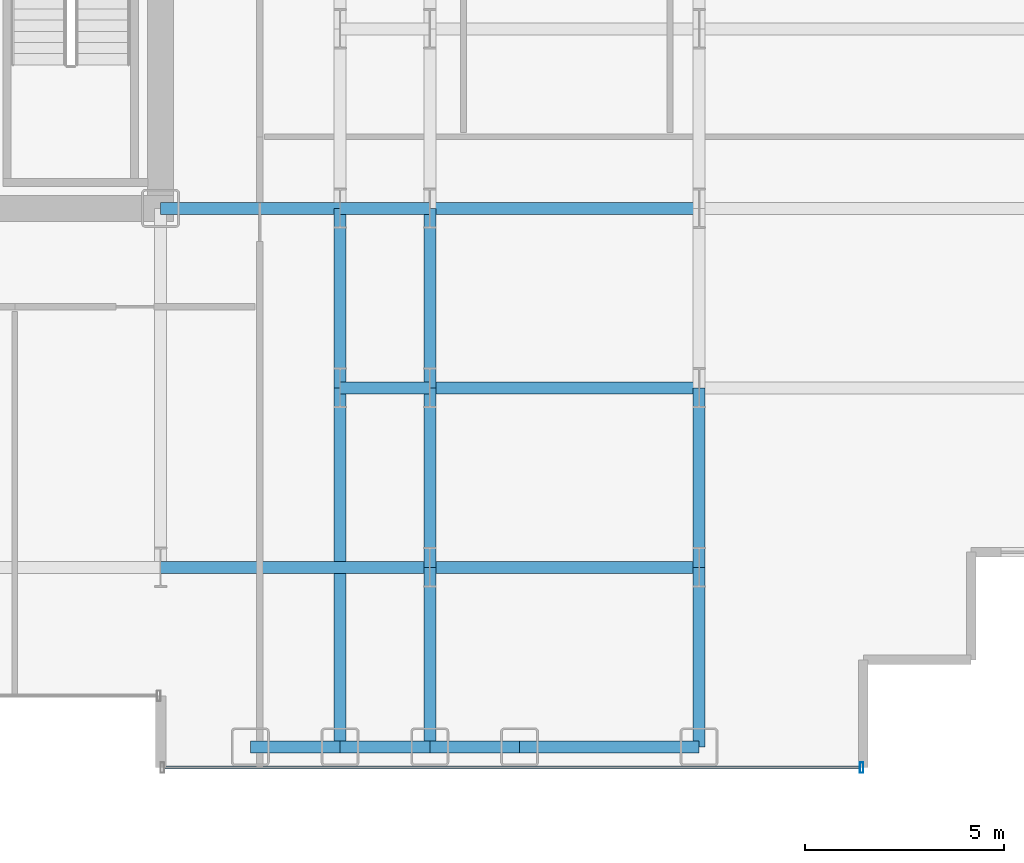
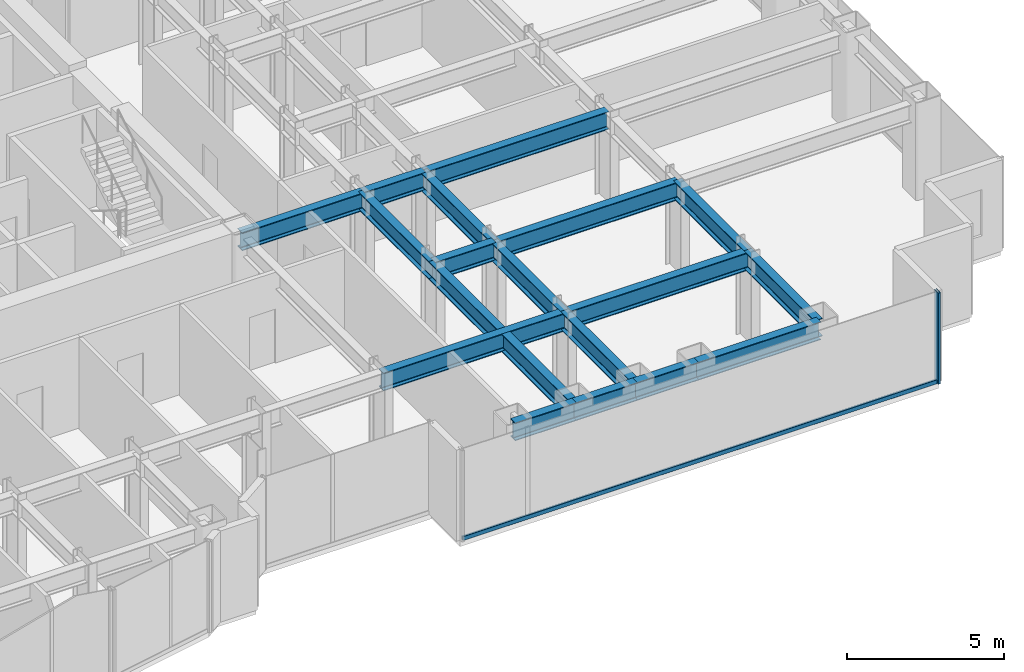
# One storey, part 7 of 25: 18 beams, 2 members, 1 element without a shape of its own.
"""IFC4 building model written with IfcOpenShell, lengths in metres."""

from ifc_helpers import new_model, si_unit, direction, frame, origin, origin_2d, place, context, subcontext, project, spatial, hollow_rectangle, i_section, extrude, source, transform, mapped, material, layer, layer_set, material_profile, profile_set, type_object, element, aggregate, save


model = new_model("IFC4")

# Units and contexts
model_context = context("Model", 3, precision=1e-05, world=origin(), true_north=direction((0.0, 1.0)))
body_context = subcontext(model_context, "Body", "Model", "MODEL_VIEW")
ifc_project = project(units=[si_unit("LENGTHUNIT", "METRE"), si_unit("AREAUNIT", "SQUARE_METRE"), si_unit("VOLUMEUNIT", "CUBIC_METRE"), si_unit("PLANEANGLEUNIT", "RADIAN"), si_unit("MASSUNIT", "GRAM", prefix="KILO")], contexts=[model_context])

# Site, building, storey
site_placement = place(None, origin())
site = spatial("IfcSite", under=ifc_project, at=site_placement, CompositionType="ELEMENT")
building_placement = place(site_placement, origin())
building = spatial("IfcBuilding", under=site, at=building_placement, Name="Nefas-Gora Pilgrimage Tower", CompositionType="ELEMENT")
storey_placement = place(building_placement, frame((0.0, 0.0, 52.0)))
storey = spatial("IfcBuildingStorey", under=building, at=storey_placement, Name="L11", CompositionType="ELEMENT", Elevation=52.0)

# Beams
ifc_material_1 = material(Name="Steel S355", Category="steel")
ifc_material_profile_1 = material_profile(ifc_material_1, i_section(OverallWidth=0.300048828125, OverallDepth=0.699951171875, WebThickness=0.01708984375, FlangeThickness=0.031982421875, FilletRadius=0.027099609375, at=origin_2d()), Name="HEB 700")
ifc_profile_set_1 = profile_set([ifc_material_profile_1], Name="Steel S355")
beam_type_1 = type_object("IfcBeamType", Name="BM-SPN-HEB600", PredefinedType="SPANDREL", material=ifc_profile_set_1)
shared_shape_1 = source(origin(), body_context, "Body", "SweptSolid", [
    extrude(i_section(OverallWidth=0.300048828125, OverallDepth=0.699951171875, WebThickness=0.01708984375, FlangeThickness=0.031982421875, FilletRadius=0.027099609375, at=origin_2d()), origin(), (0.0, 0.0, 1.0), 4.5),
])
beam_1_placement = place(storey_placement, frame((20.25, -22.5, 3.199951171875), z_axis=(1.0, 0.0, 0.0), x_axis=(0.0, 1.0, 0.0)))
element("IfcBeam", 1, at=beam_1_placement, inside=storey, type_object=beam_type_1, Name="L11 SP-01 beam", PredefinedType="SPANDREL", context=body_context, shape_type="MappedRepresentation", body=[
    mapped(shared_shape_1, transform((0.0, 0.0, 0.0), x_axis=(1.0, 0.0, 0.0), y_axis=(0.0, 1.0, 0.0), z_axis=(0.0, 0.0, 1.0), scale=1.0)),
])
ifc_material_profile_2 = material_profile(ifc_material_1, i_section(OverallWidth=0.300048828125, OverallDepth=0.699951171875, WebThickness=0.01708984375, FlangeThickness=0.031982421875, FilletRadius=0.027099609375, at=origin_2d()), Name="HEB 700")
ifc_profile_set_2 = profile_set([ifc_material_profile_2], Name="Steel S355")
beam_type_2 = type_object("IfcBeamType", Name="BM-GIR-HEB700", PredefinedType="BEAM", material=ifc_profile_set_2)
shared_shape_2 = source(origin(), body_context, "Body", "SweptSolid", [
    extrude(i_section(OverallWidth=0.300048828125, OverallDepth=0.699951171875, WebThickness=0.01708984375, FlangeThickness=0.031982421875, FilletRadius=0.027099609375, at=origin_2d()), origin(), (0.0, 0.0, 1.0), 9.0),
])
beam_2_placement = place(storey_placement, frame((15.75, -22.5, 3.199951171875), z_axis=(0.0, 1.0, 0.0), x_axis=(-1.0, 0.0, 0.0)))
element("IfcBeam", 2, at=beam_2_placement, inside=storey, type_object=beam_type_2, Name="L11 G-02 beam", PredefinedType="BEAM", context=body_context, shape_type="MappedRepresentation", body=[
    mapped(shared_shape_2, transform((0.0, 0.0, 0.0), x_axis=(1.0, 0.0, 0.0), y_axis=(0.0, 1.0, 0.0), z_axis=(0.0, 0.0, 1.0), scale=1.0)),
])
shared_shape_3 = source(origin(), body_context, "Body", "SweptSolid", [
    extrude(i_section(OverallWidth=0.300048828125, OverallDepth=0.699951171875, WebThickness=0.01708984375, FlangeThickness=0.031982421875, FilletRadius=0.027099609375, at=origin_2d()), origin(), (0.0, 0.0, 1.0), 4.5),
])
for number, where, z_axis, x_axis, name in (
    (3, (11.25, -9.0, 3.199951171875), (1.0, 0.0, 0.0), (0.0, 1.0, 0.0), "L11 G-02 beam"),
    (4, (15.75, -13.5, 3.199951171875), (0.0, 1.0, 0.0), (-1.0, 0.0, 0.0), "L11 G-02 beam"),
    (5, (18.0, -22.5, 3.199951171875), (0.0, 1.0, 0.0), (-1.0, 0.0, 0.0), "L11 G-02 beam"),
    (6, (18.0, -18.0, 3.199951171875), (0.0, 1.0, 0.0), (-1.0, 0.0, 0.0), "L11 G-02 beam"),
    (7, (18.0, -13.5, 3.199951171875), (0.0, 1.0, 0.0), (-1.0, 0.0, 0.0), "L11 G-02 beam"),
    (8, (24.75, -22.5, 3.199951171875), (0.0, 1.0, 0.0), (-1.0, 0.0, 0.0), "L11 G-02 beam"),
    (9, (24.75, -18.0, 3.199951171875), (0.0, 1.0, 0.0), (-1.0, 0.0, 0.0), "L11 G-02 beam"),
):
    element("IfcBeam", number, at=place(storey_placement, frame(where, z_axis=z_axis, x_axis=x_axis)), inside=storey, type_object=beam_type_2, Name=name, PredefinedType="BEAM", context=body_context, shape_type="MappedRepresentation", body=[
        mapped(shared_shape_3, transform((0.0, 0.0, 0.0), x_axis=(1.0, 0.0, 0.0), y_axis=(0.0, 1.0, 0.0), z_axis=(0.0, 0.0, 1.0), scale=1.0)),
    ])
shared_shape_4 = source(origin(), body_context, "Body", "SweptSolid", [
    extrude(i_section(OverallWidth=0.300048828125, OverallDepth=0.699951171875, WebThickness=0.01708984375, FlangeThickness=0.031982421875, FilletRadius=0.027099609375, at=origin_2d()), origin(), (0.0, 0.0, 1.0), 6.75),
])
for number, where, z_axis, x_axis, name in (
    (10, (11.25, -18.0, 3.199951171875), (1.0, 0.0, 0.0), (0.0, 1.0, 0.0), "L11 G-02 beam"),
    (11, (18.0, -18.0, 3.199951171875), (1.0, 0.0, 0.0), (0.0, 1.0, 0.0), "L11 G-02 beam"),
    (12, (18.0, -13.5, 3.199951171875), (1.0, 0.0, 0.0), (0.0, 1.0, 0.0), "L11 G-02 beam"),
    (13, (18.0, -9.0, 3.199951171875), (1.0, 0.0, 0.0), (0.0, 1.0, 0.0), "L11 G-02 beam"),
):
    element("IfcBeam", number, at=place(storey_placement, frame(where, z_axis=z_axis, x_axis=x_axis)), inside=storey, type_object=beam_type_2, Name=name, PredefinedType="BEAM", context=body_context, shape_type="MappedRepresentation", body=[
        mapped(shared_shape_4, transform((0.0, 0.0, 0.0), x_axis=(1.0, 0.0, 0.0), y_axis=(0.0, 1.0, 0.0), z_axis=(0.0, 0.0, 1.0), scale=1.0)),
    ])
shared_shape_5 = source(origin(), body_context, "Body", "SweptSolid", [
    extrude(i_section(OverallWidth=0.300048828125, OverallDepth=0.699951171875, WebThickness=0.01708984375, FlangeThickness=0.031982421875, FilletRadius=0.027099609375, at=origin_2d()), origin(), (0.0, 0.0, 1.0), 2.25),
])
for number, where, z_axis, x_axis, name in (
    (14, (13.5, -22.5, 3.199951171875), (1.0, 0.0, 0.0), (0.0, 1.0, 0.0), "L11 SP-01 beam"),
    (15, (15.75, -22.5, 3.199951171875), (1.0, 0.0, 0.0), (0.0, 1.0, 0.0), "L11 SP-01 beam"),
    (16, (18.0, -22.5, 3.199951171875), (1.0, 0.0, 0.0), (0.0, 1.0, 0.0), "L11 SP-01 beam"),
):
    element("IfcBeam", number, at=place(storey_placement, frame(where, z_axis=z_axis, x_axis=x_axis)), inside=storey, type_object=beam_type_1, Name=name, PredefinedType="SPANDREL", context=body_context, shape_type="MappedRepresentation", body=[
        mapped(shared_shape_5, transform((0.0, 0.0, 0.0), x_axis=(1.0, 0.0, 0.0), y_axis=(0.0, 1.0, 0.0), z_axis=(0.0, 0.0, 1.0), scale=1.0)),
    ])
shared_shape_6 = source(origin(), body_context, "Body", "SweptSolid", [
    extrude(i_section(OverallWidth=0.300048828125, OverallDepth=0.699951171875, WebThickness=0.01708984375, FlangeThickness=0.031982421875, FilletRadius=0.027099609375, at=origin_2d()), origin(), (0.0, 0.0, 1.0), 2.25),
])
for number, where, z_axis, x_axis, name in (
    (17, (15.75, -13.5, 3.199951171875), (1.0, 0.0, 0.0), (0.0, 1.0, 0.0), "L11 G-02 beam"),
    (18, (15.75, -9.0, 3.199951171875), (1.0, 0.0, 0.0), (0.0, 1.0, 0.0), "L11 G-02 beam"),
):
    element("IfcBeam", number, at=place(storey_placement, frame(where, z_axis=z_axis, x_axis=x_axis)), inside=storey, type_object=beam_type_2, Name=name, PredefinedType="BEAM", context=body_context, shape_type="MappedRepresentation", body=[
        mapped(shared_shape_6, transform((0.0, 0.0, 0.0), x_axis=(1.0, 0.0, 0.0), y_axis=(0.0, 1.0, 0.0), z_axis=(0.0, 0.0, 1.0), scale=1.0)),
    ])

# Curtain wall, members
ifc_material_2 = material(Name="Dark ceramic-fritted solar-control aluminium-glass curtain wall", Category="aluminium")
ifc_layer = layer(ifc_material_2, 0.219970703125)
ifc_layer_set = layer_set([ifc_layer], Name="Dark ceramic-fritted solar-control aluminium-glass curtain wall")
curtain_wall_type = type_object("IfcCurtainWallType", Name="CW-SYS-2", PredefinedType="NOTDEFINED", material=ifc_layer_set)
curtain_wall_placement = place(storey_placement, origin())
curtain_wall = element("IfcCurtainWall", 19, at=curtain_wall_placement, inside=storey, type_object=curtain_wall_type, Name="L11 Unitised Curtain Wall CW2", PredefinedType="NOTDEFINED")
ifc_material_3 = material(Name="Anodised architectural aluminium", Category="aluminium")
ifc_material_profile_3 = material_profile(ifc_material_3, hollow_rectangle(XDim=0.090087890625, YDim=0.260009765625, WallThickness=0.006103515625, InnerFilletRadius=0.006103515625, OuterFilletRadius=0.011962890625, at=origin_2d()), Name="ALU MULLION 90x260")
ifc_profile_set_3 = profile_set([ifc_material_profile_3], Name="Anodised architectural aluminium")
member_type_1 = type_object("IfcMemberType", Name="CWM-MUL-2", PredefinedType="MULLION", material=ifc_profile_set_3)
shared_shape_7 = source(origin(), body_context, "Body", "SweptSolid", [
    extrude(hollow_rectangle(XDim=0.090087890625, YDim=0.260009765625, WallThickness=0.006103515625, InnerFilletRadius=0.006103515625, OuterFilletRadius=0.011962890625, at=origin_2d()), origin(), (0.0, 0.0, 1.0), 3.550048828125),
])
member_1_placement = place(storey_placement, frame((28.824951171875, -23.02001953125, 0.0), z_axis=(0.0, 0.0, 1.0), x_axis=(1.0, 0.0, 0.0)))
member_1 = element("IfcMember", 20, at=member_1_placement, type_object=member_type_1, Name="CW2 Mullion 2", PredefinedType="MULLION", context=body_context, shape_type="MappedRepresentation", body=[
    mapped(shared_shape_7, transform((0.0, 0.0, 0.0), x_axis=(1.0, 0.0, 0.0), y_axis=(0.0, 1.0, 0.0), z_axis=(0.0, 0.0, 1.0), scale=1.0)),
])
ifc_material_profile_4 = material_profile(ifc_material_3, hollow_rectangle(XDim=0.080078125, YDim=0.159912109375, WallThickness=0.00439453125, InnerFilletRadius=0.00439453125, OuterFilletRadius=0.009033203125, at=origin_2d()), Name="ALU TRANSOM 80x160")
ifc_profile_set_4 = profile_set([ifc_material_profile_4], Name="Anodised architectural aluminium")
member_type_2 = type_object("IfcMemberType", Name="CWM-TRN-2", PredefinedType="USERDEFINED", material=ifc_profile_set_4)
shared_shape_8 = source(origin(), body_context, "Body", "SweptSolid", [
    extrude(hollow_rectangle(XDim=0.080078125, YDim=0.159912109375, WallThickness=0.00439453125, InnerFilletRadius=0.00439453125, OuterFilletRadius=0.009033203125, at=origin_2d()), origin(), (0.0, 0.0, 1.0), 17.43994140625),
])
member_2_placement = place(storey_placement, frame((11.340087890625, -23.02001953125, 0.050048828125), z_axis=(1.0, 0.0, 0.0), x_axis=(0.0, 1.0, 0.0)))
member_2 = element("IfcMember", 21, at=member_2_placement, type_object=member_type_2, Name="CW2 Spandrel Transom", ObjectType="TRANSOM", PredefinedType="USERDEFINED", context=body_context, shape_type="MappedRepresentation", body=[
    mapped(shared_shape_8, transform((0.0, 0.0, 0.0), x_axis=(1.0, 0.0, 0.0), y_axis=(0.0, 1.0, 0.0), z_axis=(0.0, 0.0, 1.0), scale=1.0)),
])
aggregate(curtain_wall, [member_1, member_2])

save(model, "model.ifc")
